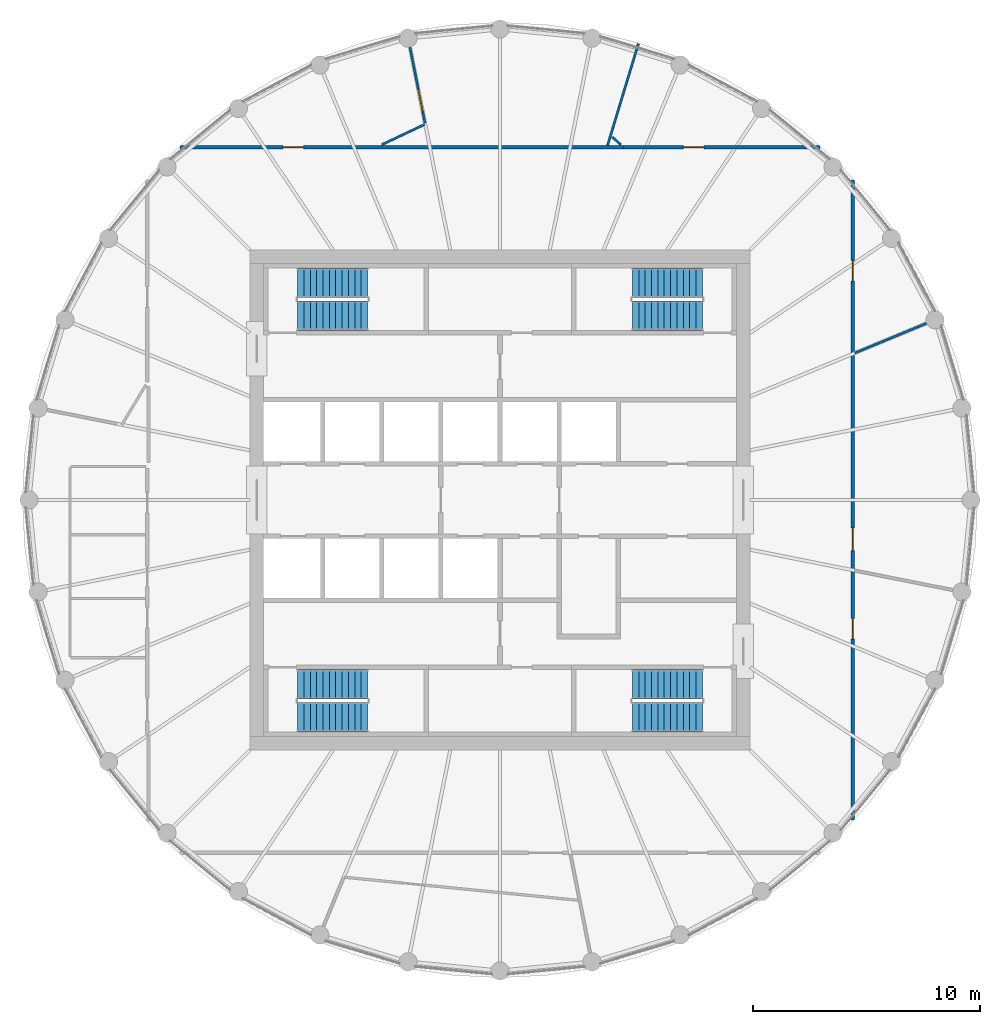
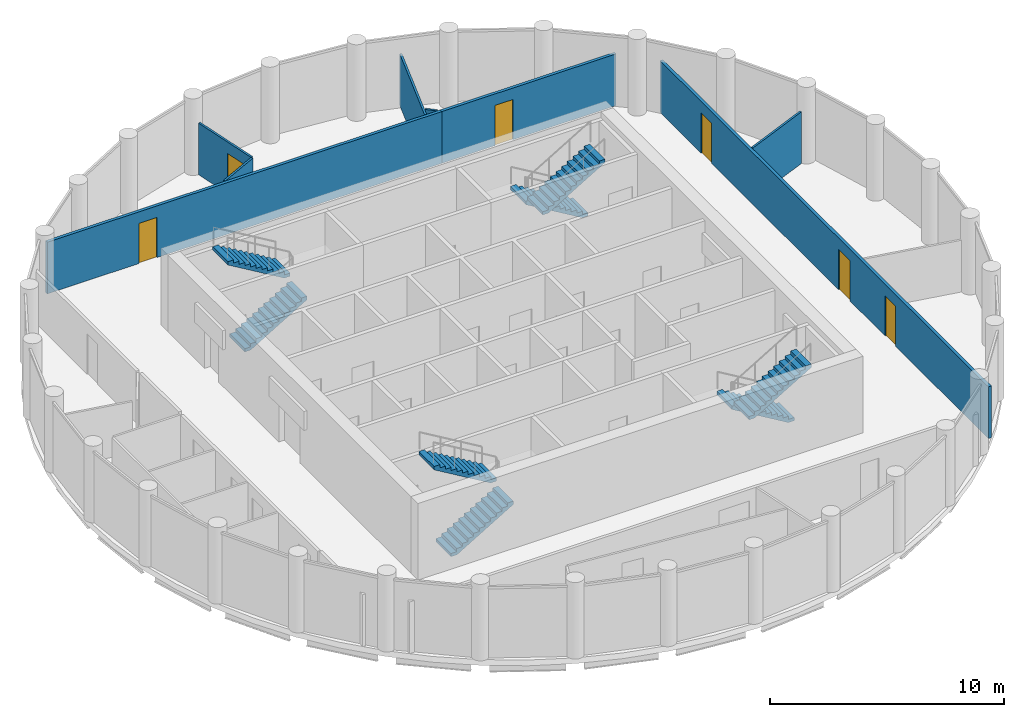
# One storey, part 6 of 7: 8 stair flights, 8 walls, 6 doors, 6 openings, 4 elements without a shape of their own.
"""IFC4 building model written with IfcOpenShell, lengths in metres."""

from ifc_helpers import new_model, si_unit, direction, frame, frame_2d, origin, place, context, subcontext, project, spatial, polyline, rectangle, outline, extrude, material, layer, layer_set, type_object, element, fill, aggregate, save


model = new_model("IFC4")

# Units and contexts
model_context = context("Model", 3, precision=1e-05, world=origin(), true_north=direction((0.0, 1.0)))
body_context = subcontext(model_context, "Body", "Model", "MODEL_VIEW")
ifc_project = project(units=[si_unit("LENGTHUNIT", "METRE"), si_unit("AREAUNIT", "SQUARE_METRE"), si_unit("VOLUMEUNIT", "CUBIC_METRE"), si_unit("PLANEANGLEUNIT", "RADIAN"), si_unit("MASSUNIT", "GRAM", prefix="KILO")], contexts=[model_context])

# Site, building, storey
site_placement = place(None, origin())
site = spatial("IfcSite", under=ifc_project, at=site_placement, CompositionType="ELEMENT")
building_placement = place(site_placement, origin())
building = spatial("IfcBuilding", under=site, at=building_placement, Name="Corvane Civic Tower", CompositionType="ELEMENT")
storey_placement = place(building_placement, frame((0.0, 0.0, 328.5)))
storey = spatial("IfcBuildingStorey", under=building, at=storey_placement, Name="L78", CompositionType="ELEMENT", Elevation=328.5)

# Walls
ifc_material_1 = material(Name="Plasterboard")
ifc_layer_1 = layer(ifc_material_1, 0.10009765625)
ifc_layer_set_1 = layer_set([ifc_layer_1], Name="Plasterboard")
wall_type_1 = type_object("IfcWallType", Name="Partition 100 plasterboard on studs", PredefinedType="PARTITIONING", material=ifc_layer_set_1)
wall_1_placement = place(storey_placement, frame((15.593994140625, 6.459228515625, 0.0), z_axis=(0.0, 0.0, 1.0), x_axis=(0.923881629558, 0.382678369606, 0.0)))
element("IfcWall", 1, at=wall_1_placement, inside=storey, type_object=wall_type_1, Name="Partition L78.018", PredefinedType="PARTITIONING", context=body_context, shape_type="SweptSolid", body=[
    extrude(rectangle(XDim=3.411376953125, YDim=0.10009765625, at=frame_2d((1.70556640625, 0.0))), origin(), (0.0, 0.0, 1.0), 2.699951171875),
])
wall_2_placement = place(storey_placement, frame((4.72900390625, 15.589599609375, 0.0), z_axis=(0.0, 0.0, 1.0), x_axis=(0.290298250417, 0.956936218253, 0.0)))
element("IfcWall", 2, at=wall_2_placement, inside=storey, type_object=wall_type_1, Name="Partition L78.021", PredefinedType="PARTITIONING", context=body_context, shape_type="SweptSolid", body=[
    extrude(rectangle(XDim=4.6591796875, YDim=0.10009765625, at=frame_2d((2.32958984375, 0.0))), origin(), (0.0, 0.0, 1.0), 2.699951171875),
])
wall_3_placement = place(storey_placement, frame((-5.1923828125, 15.6201171875, 0.0), z_axis=(0.0, 0.0, 1.0), x_axis=(0.904004297202, 0.427523368532, 0.0)))
element("IfcWall", 3, at=wall_3_placement, inside=storey, type_object=wall_type_1, Name="Partition L78.022", PredefinedType="PARTITIONING", context=body_context, shape_type="SweptSolid", body=[
    extrude(rectangle(XDim=2.069580078125, YDim=0.10009765625, at=frame_2d((1.03466796875, 0.0))), origin(), (0.0, 0.0, 1.0), 2.699951171875),
])

# Wall, opening, door
wall_4_placement = place(storey_placement, frame((-3.95849609375, 19.900146484375, 0.0), z_axis=(0.0, 0.0, 1.0), x_axis=(0.195123488807, -0.980778682535, 0.0)))
wall_4 = element("IfcWall", 4, at=wall_4_placement, inside=storey, type_object=wall_type_1, Name="Partition L78.023", PredefinedType="PARTITIONING", context=body_context, shape_type="SweptSolid", body=[
    extrude(rectangle(XDim=3.40576171875, YDim=0.10009765625, at=frame_2d((1.702880859375, 0.0))), origin(), (0.0, 0.0, 1.0), 2.699951171875),
])
opening_1_placement = place(wall_4_placement, frame((1.877197265625, 0.0, 0.0)))
opening_1 = element("IfcOpeningElement", 5, at=opening_1_placement, cuts=wall_4, Name="Opening L78.003", PredefinedType="OPENING", context=body_context, shape_type="SweptSolid", body=[
    extrude(rectangle(XDim=1.0, YDim=2.10009765625, at=frame_2d((0.5, 1.050048828125))), frame((0.0, 0.06005859375, 0.0), z_axis=(0.0, -1.0, 0.0), x_axis=(1.0, 0.0, 0.0)), (0.0, 0.0, 1.0), 0.1201171875),
])
ifc_material_2 = material(Name="Timber", Category="wood")
door_type_1 = type_object("IfcDoorType", Name="Single door 1000", OperationType="NOTDEFINED", PredefinedType="DOOR", material=ifc_material_2)
door_1_placement = place(opening_1_placement, origin())
door_1 = element("IfcDoor", 6, at=door_1_placement, inside=storey, type_object=door_type_1, Name="Door L78.003", OperationType="SINGLE_SWING_LEFT", OverallHeight=2.10009765625, OverallWidth=1.0, PredefinedType="DOOR", context=body_context, shape_type="SweptSolid", body=[
    extrude(rectangle(XDim=1.0, YDim=2.10009765625, at=frame_2d((0.5, 1.050048828125))), frame((0.0, 0.02490234375, 0.0), z_axis=(0.0, -1.0, 0.0), x_axis=(1.0, 0.0, 0.0)), (0.0, 0.0, 1.0), 0.050048828125),
])
fill(opening_1, door_1)

# Wall
wall_5_placement = place(storey_placement, frame((4.9345703125, 15.957275390625, 0.0), z_axis=(0.0, 0.0, 1.0), x_axis=(0.74097950347, -0.671527643093, 0.0)))
element("IfcWall", 7, at=wall_5_placement, inside=storey, type_object=wall_type_1, Name="Partition L78.024", PredefinedType="PARTITIONING", context=body_context, shape_type="SweptSolid", body=[
    extrude(rectangle(XDim=0.509765625, YDim=0.10009765625, at=frame_2d((0.2548828125, 0.0))), origin(), (0.0, 0.0, 1.0), 2.699951171875),
])

# Wall, openings, doors
ifc_material_3 = material(Name="Plasterboard")
ifc_layer_2 = layer(ifc_material_3, 0.14990234375)
ifc_layer_set_2 = layer_set([ifc_layer_2], Name="Plasterboard")
wall_type_2 = type_object("IfcWallType", Name="Tenancy wall 150 EI 60", PredefinedType="PARTITIONING", material=ifc_layer_set_2)
wall_6_placement = place(storey_placement, frame((15.5, -14.05712890625, 0.0), z_axis=(0.0, 0.0, 1.0), x_axis=(0.0, 1.0, 0.0)))
wall_6 = element("IfcWall", 8, at=wall_6_placement, inside=storey, type_object=wall_type_2, Name="Partition L78.006", PredefinedType="PARTITIONING", context=body_context, shape_type="SweptSolid", body=[
    extrude(rectangle(XDim=28.1142578125, YDim=0.14990234375, at=frame_2d((14.05712890625, 0.0))), origin(), (0.0, 0.0, 1.0), 2.699951171875),
])
opening_2_placement = place(wall_6_placement, frame((23.69189453125, 0.0, 0.0)))
opening_2 = element("IfcOpeningElement", 9, at=opening_2_placement, cuts=wall_6, Name="Opening L78.004", PredefinedType="OPENING", context=body_context, shape_type="SweptSolid", body=[
    extrude(rectangle(XDim=0.89990234375, YDim=2.10009765625, at=frame_2d((0.449951171875, 1.050048828125))), frame((0.0, 0.0849609375, 0.0), z_axis=(0.0, -1.0, 0.0), x_axis=(1.0, 0.0, 0.0)), (0.0, 0.0, 1.0), 0.169921875),
])
opening_3_placement = place(wall_6_placement, frame((11.826416015625, 0.0, 0.0)))
opening_3 = element("IfcOpeningElement", 10, at=opening_3_placement, cuts=wall_6, Name="Opening L78.006", PredefinedType="OPENING", context=body_context, shape_type="SweptSolid", body=[
    extrude(rectangle(XDim=1.0, YDim=2.10009765625, at=frame_2d((0.5, 1.050048828125))), frame((0.0, 0.0849609375, 0.0), z_axis=(0.0, -1.0, 0.0), x_axis=(1.0, 0.0, 0.0)), (0.0, 0.0, 1.0), 0.169921875),
])
opening_4_placement = place(wall_6_placement, frame((7.94677734375, 0.0, 0.0)))
opening_4 = element("IfcOpeningElement", 11, at=opening_4_placement, cuts=wall_6, Name="Opening L78.007", PredefinedType="OPENING", context=body_context, shape_type="SweptSolid", body=[
    extrude(rectangle(XDim=0.89990234375, YDim=2.10009765625, at=frame_2d((0.449951171875, 1.050048828125))), frame((0.0, 0.0849609375, 0.0), z_axis=(0.0, -1.0, 0.0), x_axis=(1.0, 0.0, 0.0)), (0.0, 0.0, 1.0), 0.169921875),
])
ifc_material_4 = material(Name="Steel and timber", Category="steel")
door_type_2 = type_object("IfcDoorType", Name="Fire door FD30S 1000", OperationType="NOTDEFINED", PredefinedType="DOOR", material=ifc_material_4)
door_2_placement = place(opening_3_placement, frame((1.0, 0.0, 0.0), z_axis=(0.0, 0.0, 1.0), x_axis=(-1.0, 0.0, 0.0)))
door_2 = element("IfcDoor", 12, at=door_2_placement, inside=storey, type_object=door_type_2, Name="Door L78.006", OperationType="SINGLE_SWING_LEFT", OverallHeight=2.10009765625, OverallWidth=1.0, PredefinedType="DOOR", context=body_context, shape_type="SweptSolid", body=[
    extrude(rectangle(XDim=1.0, YDim=2.10009765625, at=frame_2d((0.5, 1.050048828125))), frame((0.0, 0.02490234375, 0.0), z_axis=(0.0, -1.0, 0.0), x_axis=(1.0, 0.0, 0.0)), (0.0, 0.0, 1.0), 0.050048828125),
])
fill(opening_3, door_2)
ifc_material_5 = material(Name="Steel and timber", Category="steel")
door_type_3 = type_object("IfcDoorType", Name="Fire door FD30S 900", OperationType="NOTDEFINED", PredefinedType="DOOR", material=ifc_material_5)
door_3_placement = place(opening_2_placement, frame((0.89990234375, 0.0, 0.0), z_axis=(0.0, 0.0, 1.0), x_axis=(-1.0, 0.0, 0.0)))
door_3 = element("IfcDoor", 13, at=door_3_placement, inside=storey, type_object=door_type_3, Name="Door L78.004", OperationType="SINGLE_SWING_LEFT", OverallHeight=2.10009765625, OverallWidth=0.89990234375, PredefinedType="DOOR", context=body_context, shape_type="SweptSolid", body=[
    extrude(rectangle(XDim=0.89990234375, YDim=2.10009765625, at=frame_2d((0.449951171875, 1.050048828125))), frame((0.0, 0.02490234375, 0.0), z_axis=(0.0, -1.0, 0.0), x_axis=(1.0, 0.0, 0.0)), (0.0, 0.0, 1.0), 0.050048828125),
])
fill(opening_2, door_3)
door_4_placement = place(opening_4_placement, frame((0.89990234375, 0.0, 0.0), z_axis=(0.0, 0.0, 1.0), x_axis=(-1.0, 0.0, 0.0)))
door_4 = element("IfcDoor", 14, at=door_4_placement, inside=storey, type_object=door_type_3, Name="Door L78.007", OperationType="SINGLE_SWING_LEFT", OverallHeight=2.10009765625, OverallWidth=0.89990234375, PredefinedType="DOOR", context=body_context, shape_type="SweptSolid", body=[
    extrude(rectangle(XDim=0.89990234375, YDim=2.10009765625, at=frame_2d((0.449951171875, 1.050048828125))), frame((0.0, 0.02490234375, 0.0), z_axis=(0.0, -1.0, 0.0), x_axis=(1.0, 0.0, 0.0)), (0.0, 0.0, 1.0), 0.050048828125),
])
fill(opening_4, door_4)

# Wall, opening, door
wall_7_placement = place(storey_placement, frame((-14.05712890625, 15.5, 0.0), z_axis=(0.0, 0.0, 1.0), x_axis=(1.0, 0.0, 0.0)))
wall_7 = element("IfcWall", 15, at=wall_7_placement, inside=storey, type_object=wall_type_2, Name="Partition L78.019", PredefinedType="PARTITIONING", context=body_context, shape_type="SweptSolid", body=[
    extrude(rectangle(XDim=19.496337890625, YDim=0.14990234375, at=frame_2d((9.748046875, 0.0))), origin(), (0.0, 0.0, 1.0), 2.699951171875),
])
opening_5_placement = place(wall_7_placement, frame((4.52880859375, 0.0, 0.0)))
opening_5 = element("IfcOpeningElement", 16, at=opening_5_placement, cuts=wall_7, Name="Opening L78.002", PredefinedType="OPENING", context=body_context, shape_type="SweptSolid", body=[
    extrude(rectangle(XDim=0.89990234375, YDim=2.10009765625, at=frame_2d((0.449951171875, 1.050048828125))), frame((0.0, 0.0849609375, 0.0), z_axis=(0.0, -1.0, 0.0), x_axis=(1.0, 0.0, 0.0)), (0.0, 0.0, 1.0), 0.169921875),
])
door_5_placement = place(opening_5_placement, origin())
door_5 = element("IfcDoor", 17, at=door_5_placement, inside=storey, type_object=door_type_3, Name="Door L78.002", OperationType="SINGLE_SWING_RIGHT", OverallHeight=2.10009765625, OverallWidth=0.89990234375, PredefinedType="DOOR", context=body_context, shape_type="SweptSolid", body=[
    extrude(rectangle(XDim=0.89990234375, YDim=2.10009765625, at=frame_2d((0.449951171875, 1.050048828125))), frame((0.0, 0.02490234375, 0.0), z_axis=(0.0, -1.0, 0.0), x_axis=(1.0, 0.0, 0.0)), (0.0, 0.0, 1.0), 0.050048828125),
])
fill(opening_5, door_5)

wall_8_placement = place(storey_placement, frame((5.439208984375, 15.5, 0.0), z_axis=(0.0, 0.0, 1.0), x_axis=(1.0, 0.0, 0.0)))
wall_8 = element("IfcWall", 18, at=wall_8_placement, inside=storey, type_object=wall_type_2, Name="Partition L78.020", PredefinedType="PARTITIONING", context=body_context, shape_type="SweptSolid", body=[
    extrude(rectangle(XDim=8.617919921875, YDim=0.14990234375, at=frame_2d((4.30908203125, 0.0))), origin(), (0.0, 0.0, 1.0), 2.699951171875),
])
opening_6_placement = place(wall_8_placement, frame((2.622802734375, 0.0, 0.0)))
opening_6 = element("IfcOpeningElement", 19, at=opening_6_placement, cuts=wall_8, Name="Opening L78.005", PredefinedType="OPENING", context=body_context, shape_type="SweptSolid", body=[
    extrude(rectangle(XDim=0.89990234375, YDim=2.10009765625, at=frame_2d((0.449951171875, 1.050048828125))), frame((0.0, 0.0849609375, 0.0), z_axis=(0.0, -1.0, 0.0), x_axis=(1.0, 0.0, 0.0)), (0.0, 0.0, 1.0), 0.169921875),
])
door_6_placement = place(opening_6_placement, origin())
door_6 = element("IfcDoor", 20, at=door_6_placement, inside=storey, type_object=door_type_3, Name="Door L78.005", OperationType="SINGLE_SWING_RIGHT", OverallHeight=2.10009765625, OverallWidth=0.89990234375, PredefinedType="DOOR", context=body_context, shape_type="SweptSolid", body=[
    extrude(rectangle(XDim=0.89990234375, YDim=2.10009765625, at=frame_2d((0.449951171875, 1.050048828125))), frame((0.0, 0.02490234375, 0.0), z_axis=(0.0, -1.0, 0.0), x_axis=(1.0, 0.0, 0.0)), (0.0, 0.0, 1.0), 0.050048828125),
])
fill(opening_6, door_6)

# Stair, stair flights
ifc_material_6 = material(Name="Concrete C40/50", Category="concrete")
stair_type = type_object("IfcStairType", Name="ST-STAIR-HALFTURN", PredefinedType="HALF_TURN_STAIR", material=ifc_material_6)
stair_1_placement = place(storey_placement, origin())
stair_1 = element("IfcStair", 21, at=stair_1_placement, inside=storey, type_object=stair_type, Name="L78 Exit stair ST1", PredefinedType="HALF_TURN_STAIR")
ifc_material_7 = material(Name="Concrete C40/50", Category="concrete")
stair_flight_type = type_object("IfcStairFlightType", Name="ST-FLIGHT-RC", PredefinedType="STRAIGHT", material=ifc_material_7)
stair_flight_1_placement = place(storey_placement, frame((8.89990234375, 9.550048828125, 0.0), z_axis=(0.0, 0.0, 1.0), x_axis=(-1.0, 0.0, 0.0)))
stair_flight_1 = element("IfcStairFlight", 22, at=stair_flight_1_placement, type_object=stair_flight_type, Name="ST1 flight 1", NumberOfRisers=12, NumberOfTreads=11, PredefinedType="STRAIGHT", RiserHeight=0.166666667, TreadLength=0.28, context=body_context, shape_type="SweptSolid", body=[
    extrude(outline(polyline([(0.0, 0.0), (0.0, 0.166748046875), (0.280029296875, 0.166748046875), (0.280029296875, 0.333251953125), (0.56005859375, 0.333251953125), (0.56005859375, 0.5), (0.840087890625, 0.5), (0.840087890625, 0.666748046875), (1.1201171875, 0.666748046875), (1.1201171875, 0.833251953125), (1.39990234375, 0.833251953125), (1.39990234375, 1.0), (1.679931640625, 1.0), (1.679931640625, 1.166748046875), (1.9599609375, 1.166748046875), (1.9599609375, 1.333251953125), (2.239990234375, 1.333251953125), (2.239990234375, 1.5), (2.52001953125, 1.5), (2.52001953125, 1.666748046875), (2.800048828125, 1.666748046875), (2.800048828125, 1.833251953125), (3.080078125, 1.833251953125), (3.080078125, 2.0), (3.080078125, 1.658935546875), (0.29296875, 0.0), (0.0, 0.0)])), frame((0.0, 0.64990234375, 0.0), z_axis=(0.0, -1.0, 0.0), x_axis=(1.0, 0.0, 0.0)), (0.0, 0.0, 1.0), 1.300048828125),
])
stair_flight_2_placement = place(storey_placement, frame((5.820068359375, 8.10009765625, 2.0), z_axis=(0.0, 0.0, 1.0), x_axis=(1.0, 0.0, 0.0)))
stair_flight_2 = element("IfcStairFlight", 23, at=stair_flight_2_placement, type_object=stair_flight_type, Name="ST1 flight 2", NumberOfRisers=12, NumberOfTreads=11, PredefinedType="STRAIGHT", RiserHeight=0.166666667, TreadLength=0.28, context=body_context, shape_type="SweptSolid", body=[
    extrude(outline(polyline([(0.0, 0.0), (0.0, 0.166748046875), (0.280029296875, 0.166748046875), (0.280029296875, 0.333251953125), (0.56005859375, 0.333251953125), (0.56005859375, 0.5), (0.840087890625, 0.5), (0.840087890625, 0.666748046875), (1.1201171875, 0.666748046875), (1.1201171875, 0.833251953125), (1.39990234375, 0.833251953125), (1.39990234375, 1.0), (1.679931640625, 1.0), (1.679931640625, 1.166748046875), (1.9599609375, 1.166748046875), (1.9599609375, 1.333251953125), (2.239990234375, 1.333251953125), (2.239990234375, 1.5), (2.52001953125, 1.5), (2.52001953125, 1.666748046875), (2.800048828125, 1.666748046875), (2.800048828125, 1.833251953125), (3.080078125, 1.833251953125), (3.080078125, 2.0), (3.080078125, 1.658935546875), (0.29296875, 0.0), (0.0, 0.0)])), frame((0.0, 0.64990234375, 0.0), z_axis=(0.0, -1.0, 0.0), x_axis=(1.0, 0.0, 0.0)), (0.0, 0.0, 1.0), 1.300048828125),
])
aggregate(stair_1, [stair_flight_1, stair_flight_2])

stair_2_placement = place(storey_placement, origin())
stair_2 = element("IfcStair", 24, at=stair_2_placement, inside=storey, type_object=stair_type, Name="L78 Exit stair ST2", PredefinedType="HALF_TURN_STAIR")
stair_flight_3_placement = place(storey_placement, frame((8.89990234375, -8.10009765625, 0.0), z_axis=(0.0, 0.0, 1.0), x_axis=(-1.0, 0.0, 0.0)))
stair_flight_3 = element("IfcStairFlight", 25, at=stair_flight_3_placement, type_object=stair_flight_type, Name="ST2 flight 1", NumberOfRisers=12, NumberOfTreads=11, PredefinedType="STRAIGHT", RiserHeight=0.166666667, TreadLength=0.28, context=body_context, shape_type="SweptSolid", body=[
    extrude(outline(polyline([(0.0, 0.0), (0.0, 0.166748046875), (0.280029296875, 0.166748046875), (0.280029296875, 0.333251953125), (0.56005859375, 0.333251953125), (0.56005859375, 0.5), (0.840087890625, 0.5), (0.840087890625, 0.666748046875), (1.1201171875, 0.666748046875), (1.1201171875, 0.833251953125), (1.39990234375, 0.833251953125), (1.39990234375, 1.0), (1.679931640625, 1.0), (1.679931640625, 1.166748046875), (1.9599609375, 1.166748046875), (1.9599609375, 1.333251953125), (2.239990234375, 1.333251953125), (2.239990234375, 1.5), (2.52001953125, 1.5), (2.52001953125, 1.666748046875), (2.800048828125, 1.666748046875), (2.800048828125, 1.833251953125), (3.080078125, 1.833251953125), (3.080078125, 2.0), (3.080078125, 1.658935546875), (0.29296875, 0.0), (0.0, 0.0)])), frame((0.0, 0.64990234375, 0.0), z_axis=(0.0, -1.0, 0.0), x_axis=(1.0, 0.0, 0.0)), (0.0, 0.0, 1.0), 1.300048828125),
])
stair_flight_4_placement = place(storey_placement, frame((5.820068359375, -9.550048828125, 2.0), z_axis=(0.0, 0.0, 1.0), x_axis=(1.0, 0.0, 0.0)))
stair_flight_4 = element("IfcStairFlight", 26, at=stair_flight_4_placement, type_object=stair_flight_type, Name="ST2 flight 2", NumberOfRisers=12, NumberOfTreads=11, PredefinedType="STRAIGHT", RiserHeight=0.166666667, TreadLength=0.28, context=body_context, shape_type="SweptSolid", body=[
    extrude(outline(polyline([(0.0, 0.0), (0.0, 0.166748046875), (0.280029296875, 0.166748046875), (0.280029296875, 0.333251953125), (0.56005859375, 0.333251953125), (0.56005859375, 0.5), (0.840087890625, 0.5), (0.840087890625, 0.666748046875), (1.1201171875, 0.666748046875), (1.1201171875, 0.833251953125), (1.39990234375, 0.833251953125), (1.39990234375, 1.0), (1.679931640625, 1.0), (1.679931640625, 1.166748046875), (1.9599609375, 1.166748046875), (1.9599609375, 1.333251953125), (2.239990234375, 1.333251953125), (2.239990234375, 1.5), (2.52001953125, 1.5), (2.52001953125, 1.666748046875), (2.800048828125, 1.666748046875), (2.800048828125, 1.833251953125), (3.080078125, 1.833251953125), (3.080078125, 2.0), (3.080078125, 1.658935546875), (0.29296875, 0.0), (0.0, 0.0)])), frame((0.0, 0.64990234375, 0.0), z_axis=(0.0, -1.0, 0.0), x_axis=(1.0, 0.0, 0.0)), (0.0, 0.0, 1.0), 1.300048828125),
])
aggregate(stair_2, [stair_flight_3, stair_flight_4])

stair_3_placement = place(storey_placement, origin())
stair_3 = element("IfcStair", 27, at=stair_3_placement, inside=storey, type_object=stair_type, Name="L78 Exit stair ST3", PredefinedType="HALF_TURN_STAIR")
stair_flight_5_placement = place(storey_placement, frame((-8.89990234375, -9.550048828125, 0.0), z_axis=(0.0, 0.0, 1.0), x_axis=(1.0, 0.0, 0.0)))
stair_flight_5 = element("IfcStairFlight", 28, at=stair_flight_5_placement, type_object=stair_flight_type, Name="ST3 flight 1", NumberOfRisers=12, NumberOfTreads=11, PredefinedType="STRAIGHT", RiserHeight=0.166666667, TreadLength=0.28, context=body_context, shape_type="SweptSolid", body=[
    extrude(outline(polyline([(0.0, 0.0), (0.0, 0.166748046875), (0.280029296875, 0.166748046875), (0.280029296875, 0.333251953125), (0.56005859375, 0.333251953125), (0.56005859375, 0.5), (0.840087890625, 0.5), (0.840087890625, 0.666748046875), (1.1201171875, 0.666748046875), (1.1201171875, 0.833251953125), (1.39990234375, 0.833251953125), (1.39990234375, 1.0), (1.679931640625, 1.0), (1.679931640625, 1.166748046875), (1.9599609375, 1.166748046875), (1.9599609375, 1.333251953125), (2.239990234375, 1.333251953125), (2.239990234375, 1.5), (2.52001953125, 1.5), (2.52001953125, 1.666748046875), (2.800048828125, 1.666748046875), (2.800048828125, 1.833251953125), (3.080078125, 1.833251953125), (3.080078125, 2.0), (3.080078125, 1.658935546875), (0.29296875, 0.0), (0.0, 0.0)])), frame((0.0, 0.64990234375, 0.0), z_axis=(0.0, -1.0, 0.0), x_axis=(1.0, 0.0, 0.0)), (0.0, 0.0, 1.0), 1.300048828125),
])
stair_flight_6_placement = place(storey_placement, frame((-5.820068359375, -8.10009765625, 2.0), z_axis=(0.0, 0.0, 1.0), x_axis=(-1.0, 0.0, 0.0)))
stair_flight_6 = element("IfcStairFlight", 29, at=stair_flight_6_placement, type_object=stair_flight_type, Name="ST3 flight 2", NumberOfRisers=12, NumberOfTreads=11, PredefinedType="STRAIGHT", RiserHeight=0.166666667, TreadLength=0.28, context=body_context, shape_type="SweptSolid", body=[
    extrude(outline(polyline([(0.0, 0.0), (0.0, 0.166748046875), (0.280029296875, 0.166748046875), (0.280029296875, 0.333251953125), (0.56005859375, 0.333251953125), (0.56005859375, 0.5), (0.840087890625, 0.5), (0.840087890625, 0.666748046875), (1.1201171875, 0.666748046875), (1.1201171875, 0.833251953125), (1.39990234375, 0.833251953125), (1.39990234375, 1.0), (1.679931640625, 1.0), (1.679931640625, 1.166748046875), (1.9599609375, 1.166748046875), (1.9599609375, 1.333251953125), (2.239990234375, 1.333251953125), (2.239990234375, 1.5), (2.52001953125, 1.5), (2.52001953125, 1.666748046875), (2.800048828125, 1.666748046875), (2.800048828125, 1.833251953125), (3.080078125, 1.833251953125), (3.080078125, 2.0), (3.080078125, 1.658935546875), (0.29296875, 0.0), (0.0, 0.0)])), frame((0.0, 0.64990234375, 0.0), z_axis=(0.0, -1.0, 0.0), x_axis=(1.0, 0.0, 0.0)), (0.0, 0.0, 1.0), 1.300048828125),
])
aggregate(stair_3, [stair_flight_5, stair_flight_6])

stair_4_placement = place(storey_placement, origin())
stair_4 = element("IfcStair", 30, at=stair_4_placement, inside=storey, type_object=stair_type, Name="L78 Exit stair ST4", PredefinedType="HALF_TURN_STAIR")
stair_flight_7_placement = place(storey_placement, frame((-8.89990234375, 8.10009765625, 0.0), z_axis=(0.0, 0.0, 1.0), x_axis=(1.0, 0.0, 0.0)))
stair_flight_7 = element("IfcStairFlight", 31, at=stair_flight_7_placement, type_object=stair_flight_type, Name="ST4 flight 1", NumberOfRisers=12, NumberOfTreads=11, PredefinedType="STRAIGHT", RiserHeight=0.166666667, TreadLength=0.28, context=body_context, shape_type="SweptSolid", body=[
    extrude(outline(polyline([(0.0, 0.0), (0.0, 0.166748046875), (0.280029296875, 0.166748046875), (0.280029296875, 0.333251953125), (0.56005859375, 0.333251953125), (0.56005859375, 0.5), (0.840087890625, 0.5), (0.840087890625, 0.666748046875), (1.1201171875, 0.666748046875), (1.1201171875, 0.833251953125), (1.39990234375, 0.833251953125), (1.39990234375, 1.0), (1.679931640625, 1.0), (1.679931640625, 1.166748046875), (1.9599609375, 1.166748046875), (1.9599609375, 1.333251953125), (2.239990234375, 1.333251953125), (2.239990234375, 1.5), (2.52001953125, 1.5), (2.52001953125, 1.666748046875), (2.800048828125, 1.666748046875), (2.800048828125, 1.833251953125), (3.080078125, 1.833251953125), (3.080078125, 2.0), (3.080078125, 1.658935546875), (0.29296875, 0.0), (0.0, 0.0)])), frame((0.0, 0.64990234375, 0.0), z_axis=(0.0, -1.0, 0.0), x_axis=(1.0, 0.0, 0.0)), (0.0, 0.0, 1.0), 1.300048828125),
])
stair_flight_8_placement = place(storey_placement, frame((-5.820068359375, 9.550048828125, 2.0), z_axis=(0.0, 0.0, 1.0), x_axis=(-1.0, 0.0, 0.0)))
stair_flight_8 = element("IfcStairFlight", 32, at=stair_flight_8_placement, type_object=stair_flight_type, Name="ST4 flight 2", NumberOfRisers=12, NumberOfTreads=11, PredefinedType="STRAIGHT", RiserHeight=0.166666667, TreadLength=0.28, context=body_context, shape_type="SweptSolid", body=[
    extrude(outline(polyline([(0.0, 0.0), (0.0, 0.166748046875), (0.280029296875, 0.166748046875), (0.280029296875, 0.333251953125), (0.56005859375, 0.333251953125), (0.56005859375, 0.5), (0.840087890625, 0.5), (0.840087890625, 0.666748046875), (1.1201171875, 0.666748046875), (1.1201171875, 0.833251953125), (1.39990234375, 0.833251953125), (1.39990234375, 1.0), (1.679931640625, 1.0), (1.679931640625, 1.166748046875), (1.9599609375, 1.166748046875), (1.9599609375, 1.333251953125), (2.239990234375, 1.333251953125), (2.239990234375, 1.5), (2.52001953125, 1.5), (2.52001953125, 1.666748046875), (2.800048828125, 1.666748046875), (2.800048828125, 1.833251953125), (3.080078125, 1.833251953125), (3.080078125, 2.0), (3.080078125, 1.658935546875), (0.29296875, 0.0), (0.0, 0.0)])), frame((0.0, 0.64990234375, 0.0), z_axis=(0.0, -1.0, 0.0), x_axis=(1.0, 0.0, 0.0)), (0.0, 0.0, 1.0), 1.300048828125),
])
aggregate(stair_4, [stair_flight_7, stair_flight_8])

save(model, "model.ifc")
